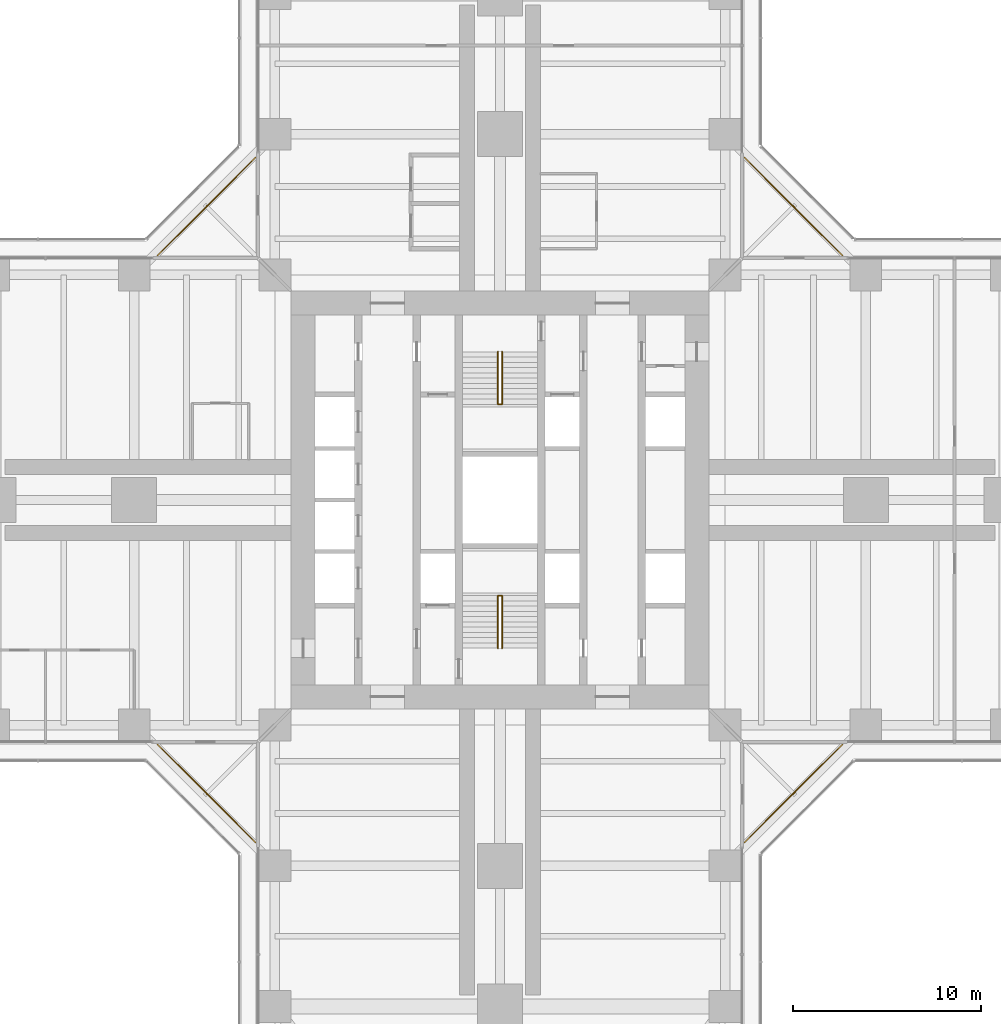
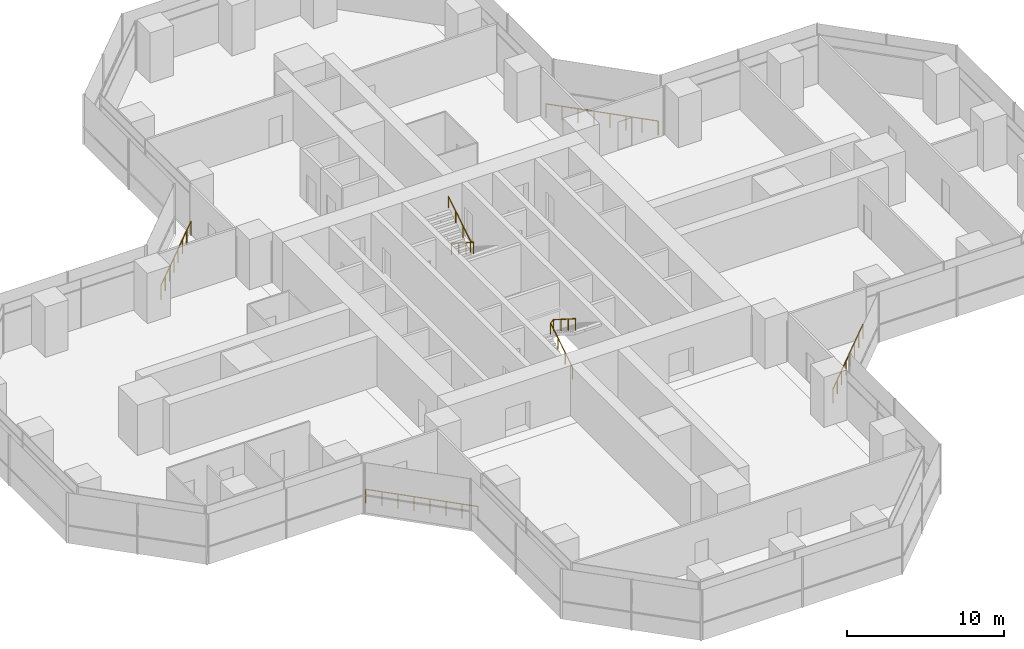
# One storey, part 22 of 22: 6 railings.
"""IFC4 building model written with IfcOpenShell, lengths in metres."""

from ifc_helpers import new_model, si_unit, direction, frame, origin, origin_2d, place, context, subcontext, project, spatial, circle, extrude, material, type_object, element, save


model = new_model("IFC4")

# Units and contexts
model_context = context("Model", 3, precision=1e-05, world=origin(), true_north=direction((0.0, 1.0)))
body_context = subcontext(model_context, "Body", "Model", "MODEL_VIEW")
ifc_project = project(units=[si_unit("LENGTHUNIT", "METRE"), si_unit("AREAUNIT", "SQUARE_METRE"), si_unit("VOLUMEUNIT", "CUBIC_METRE"), si_unit("PLANEANGLEUNIT", "RADIAN"), si_unit("MASSUNIT", "GRAM", prefix="KILO")], contexts=[model_context])

# Site, building, storey
site_placement = place(None, origin())
site = spatial("IfcSite", under=ifc_project, at=site_placement, CompositionType="ELEMENT")
building_placement = place(site_placement, origin())
building = spatial("IfcBuilding", under=site, at=building_placement, Name="Mizan Broadcast Tower", CompositionType="ELEMENT")
storey_placement = place(building_placement, frame((0.0, 0.0, 74.699951171875)))
storey = spatial("IfcBuildingStorey", under=building, at=storey_placement, Name="L15", CompositionType="ELEMENT", Elevation=74.699951171875)

# Railings
ifc_material_1 = material(Name="Stainless steel and glass guard", Category="steel")
railing_type_1 = type_object("IfcRailingType", Name="GUARD 1100", PredefinedType="GUARDRAIL", material=ifc_material_1)
railing_1_placement = place(storey_placement, frame((18.2578125, 13.030029296875, 0.0)))
element("IfcRailing", 1, at=railing_1_placement, inside=storey, type_object=railing_type_1, Name="Winter garden guard L15 E", PredefinedType="GUARDRAIL", context=body_context, shape_type="SweptSolid", body=[
    extrude(circle(Radius=0.02392578125, at=origin_2d()), frame((0.0, 0.0, 1.076171875), z_axis=(-0.707106781187, 0.707106781187, 0.0), x_axis=(-0.707106781187, -0.707106781187, 0.0)), (0.0, 0.0, 1.0), 7.393310546875),
    extrude(circle(Radius=0.02099609375, at=origin_2d()), origin(), (0.0, 0.0, 1.0), 1.052001953125),
    extrude(circle(Radius=0.02099609375, at=origin_2d()), frame((-0.746826171875, 0.746826171875, 0.0)), (0.0, 0.0, 1.0), 1.052001953125),
    extrude(circle(Radius=0.02099609375, at=origin_2d()), frame((-1.49365234375, 1.49365234375, 0.0)), (0.0, 0.0, 1.0), 1.052001953125),
    extrude(circle(Radius=0.02099609375, at=origin_2d()), frame((-2.240478515625, 2.240478515625, 0.0)), (0.0, 0.0, 1.0), 1.052001953125),
    extrude(circle(Radius=0.02099609375, at=origin_2d()), frame((-2.9873046875, 2.9873046875, 0.0)), (0.0, 0.0, 1.0), 1.052001953125),
    extrude(circle(Radius=0.02099609375, at=origin_2d()), frame((-3.734130859375, 3.734130859375, 0.0)), (0.0, 0.0, 1.0), 1.052001953125),
    extrude(circle(Radius=0.02099609375, at=origin_2d()), frame((-4.48095703125, 4.48095703125, 0.0)), (0.0, 0.0, 1.0), 1.052001953125),
    extrude(circle(Radius=0.02099609375, at=origin_2d()), frame((-5.227783203125, 5.227783203125, 0.0)), (0.0, 0.0, 1.0), 1.052001953125),
])
railing_2_placement = place(storey_placement, frame((-13.030029296875, 18.2578125, 0.0)))
element("IfcRailing", 2, at=railing_2_placement, inside=storey, type_object=railing_type_1, Name="Winter garden guard L15 N", PredefinedType="GUARDRAIL", context=body_context, shape_type="SweptSolid", body=[
    extrude(circle(Radius=0.02392578125, at=origin_2d()), frame((0.0, 0.0, 1.076171875), z_axis=(-0.707106781187, -0.707106781187, 0.0), x_axis=(0.707106781187, -0.707106781187, 0.0)), (0.0, 0.0, 1.0), 7.393310546875),
    extrude(circle(Radius=0.02099609375, at=origin_2d()), origin(), (0.0, 0.0, 1.0), 1.052001953125),
    extrude(circle(Radius=0.02099609375, at=origin_2d()), frame((-0.746826171875, -0.746826171875, 0.0)), (0.0, 0.0, 1.0), 1.052001953125),
    extrude(circle(Radius=0.02099609375, at=origin_2d()), frame((-1.49365234375, -1.49365234375, 0.0)), (0.0, 0.0, 1.0), 1.052001953125),
    extrude(circle(Radius=0.02099609375, at=origin_2d()), frame((-2.240478515625, -2.240478515625, 0.0)), (0.0, 0.0, 1.0), 1.052001953125),
    extrude(circle(Radius=0.02099609375, at=origin_2d()), frame((-2.9873046875, -2.9873046875, 0.0)), (0.0, 0.0, 1.0), 1.052001953125),
    extrude(circle(Radius=0.02099609375, at=origin_2d()), frame((-3.734130859375, -3.734130859375, 0.0)), (0.0, 0.0, 1.0), 1.052001953125),
    extrude(circle(Radius=0.02099609375, at=origin_2d()), frame((-4.48095703125, -4.48095703125, 0.0)), (0.0, 0.0, 1.0), 1.052001953125),
    extrude(circle(Radius=0.02099609375, at=origin_2d()), frame((-5.227783203125, -5.227783203125, 0.0)), (0.0, 0.0, 1.0), 1.052001953125),
])
railing_3_placement = place(storey_placement, frame((-18.2578125, -13.030029296875, 0.0)))
element("IfcRailing", 3, at=railing_3_placement, inside=storey, type_object=railing_type_1, Name="Winter garden guard L15 W", PredefinedType="GUARDRAIL", context=body_context, shape_type="SweptSolid", body=[
    extrude(circle(Radius=0.02392578125, at=origin_2d()), frame((0.0, 0.0, 1.076171875), z_axis=(0.707106781187, -0.707106781187, 0.0), x_axis=(0.707106781187, 0.707106781187, 0.0)), (0.0, 0.0, 1.0), 7.393310546875),
    extrude(circle(Radius=0.02099609375, at=origin_2d()), origin(), (0.0, 0.0, 1.0), 1.052001953125),
    extrude(circle(Radius=0.02099609375, at=origin_2d()), frame((0.746826171875, -0.746826171875, 0.0)), (0.0, 0.0, 1.0), 1.052001953125),
    extrude(circle(Radius=0.02099609375, at=origin_2d()), frame((1.49365234375, -1.49365234375, 0.0)), (0.0, 0.0, 1.0), 1.052001953125),
    extrude(circle(Radius=0.02099609375, at=origin_2d()), frame((2.240478515625, -2.240478515625, 0.0)), (0.0, 0.0, 1.0), 1.052001953125),
    extrude(circle(Radius=0.02099609375, at=origin_2d()), frame((2.9873046875, -2.9873046875, 0.0)), (0.0, 0.0, 1.0), 1.052001953125),
    extrude(circle(Radius=0.02099609375, at=origin_2d()), frame((3.734130859375, -3.734130859375, 0.0)), (0.0, 0.0, 1.0), 1.052001953125),
    extrude(circle(Radius=0.02099609375, at=origin_2d()), frame((4.48095703125, -4.48095703125, 0.0)), (0.0, 0.0, 1.0), 1.052001953125),
    extrude(circle(Radius=0.02099609375, at=origin_2d()), frame((5.227783203125, -5.227783203125, 0.0)), (0.0, 0.0, 1.0), 1.052001953125),
])
railing_4_placement = place(storey_placement, frame((13.030029296875, -18.2578125, 0.0)))
element("IfcRailing", 4, at=railing_4_placement, inside=storey, type_object=railing_type_1, Name="Winter garden guard L15 S", PredefinedType="GUARDRAIL", context=body_context, shape_type="SweptSolid", body=[
    extrude(circle(Radius=0.02392578125, at=origin_2d()), frame((0.0, 0.0, 1.076171875), z_axis=(0.707106781187, 0.707106781187, 0.0), x_axis=(-0.707106781187, 0.707106781187, 0.0)), (0.0, 0.0, 1.0), 7.393310546875),
    extrude(circle(Radius=0.02099609375, at=origin_2d()), origin(), (0.0, 0.0, 1.0), 1.052001953125),
    extrude(circle(Radius=0.02099609375, at=origin_2d()), frame((0.746826171875, 0.746826171875, 0.0)), (0.0, 0.0, 1.0), 1.052001953125),
    extrude(circle(Radius=0.02099609375, at=origin_2d()), frame((1.49365234375, 1.49365234375, 0.0)), (0.0, 0.0, 1.0), 1.052001953125),
    extrude(circle(Radius=0.02099609375, at=origin_2d()), frame((2.240478515625, 2.240478515625, 0.0)), (0.0, 0.0, 1.0), 1.052001953125),
    extrude(circle(Radius=0.02099609375, at=origin_2d()), frame((2.9873046875, 2.9873046875, 0.0)), (0.0, 0.0, 1.0), 1.052001953125),
    extrude(circle(Radius=0.02099609375, at=origin_2d()), frame((3.734130859375, 3.734130859375, 0.0)), (0.0, 0.0, 1.0), 1.052001953125),
    extrude(circle(Radius=0.02099609375, at=origin_2d()), frame((4.48095703125, 4.48095703125, 0.0)), (0.0, 0.0, 1.0), 1.052001953125),
    extrude(circle(Radius=0.02099609375, at=origin_2d()), frame((5.227783203125, 5.227783203125, 0.0)), (0.0, 0.0, 1.0), 1.052001953125),
])
ifc_material_2 = material(Name="Stainless steel", Category="steel")
railing_type_2 = type_object("IfcRailingType", Name="HANDRAIL 50", PredefinedType="HANDRAIL", material=ifc_material_2)
railing_5_placement = place(storey_placement, frame((-0.110107421875, -7.89990234375, 0.17724609375)))
element("IfcRailing", 5, at=railing_5_placement, inside=storey, type_object=railing_type_2, Name="Stair A handrail", PredefinedType="HANDRAIL", context=body_context, shape_type="SweptSolid", body=[
    extrude(circle(Radius=0.02392578125, at=origin_2d()), frame((0.0, 0.0, 0.8759765625), z_axis=(0.0, 0.844887892834, 0.53494340686), x_axis=(-1.0, 0.0, 0.0)), (0.0, 0.0, 1.0), 3.313720703125),
    extrude(circle(Radius=0.02392578125, at=origin_2d()), frame((0.0, 2.7998046875, 2.6484375), z_axis=(0.77858989007, 0.0, 0.627533093216), x_axis=(0.0, 1.0, 0.0)), (0.0, 0.0, 1.0), 0.282958984375),
    extrude(circle(Radius=0.02392578125, at=origin_2d()), frame((0.22021484375, 2.7998046875, 2.826171875), z_axis=(0.0, -0.844887892834, 0.53494340686), x_axis=(1.0, 0.0, 0.0)), (0.0, 0.0, 1.0), 3.313720703125),
    extrude(circle(Radius=0.02099609375, at=origin_2d()), origin(), (0.0, 0.0, 1.0), 0.851806640625),
    extrude(circle(Radius=0.02099609375, at=origin_2d()), frame((0.0, 0.933349609375, 0.5908203125)), (0.0, 0.0, 1.0), 0.851806640625),
    extrude(circle(Radius=0.02099609375, at=origin_2d()), frame((0.0, 1.866455078125, 1.181884765625)), (0.0, 0.0, 1.0), 0.851806640625),
    extrude(circle(Radius=0.02099609375, at=origin_2d()), frame((0.0, 2.7998046875, 1.772705078125)), (0.0, 0.0, 1.0), 0.851806640625),
    extrude(circle(Radius=0.02099609375, at=origin_2d()), frame((0.22021484375, 2.7998046875, 1.9501953125)), (0.0, 0.0, 1.0), 0.851806640625),
    extrude(circle(Radius=0.02099609375, at=origin_2d()), frame((0.22021484375, 1.866455078125, 2.541015625)), (0.0, 0.0, 1.0), 0.851806640625),
    extrude(circle(Radius=0.02099609375, at=origin_2d()), frame((0.22021484375, 0.933349609375, 3.132080078125)), (0.0, 0.0, 1.0), 0.851806640625),
    extrude(circle(Radius=0.02099609375, at=origin_2d()), frame((0.22021484375, 0.0, 3.722900390625)), (0.0, 0.0, 1.0), 0.851806640625),
])
railing_6_placement = place(storey_placement, frame((0.110107421875, 7.89990234375, 0.17724609375)))
element("IfcRailing", 6, at=railing_6_placement, inside=storey, type_object=railing_type_2, Name="Stair B handrail", PredefinedType="HANDRAIL", context=body_context, shape_type="SweptSolid", body=[
    extrude(circle(Radius=0.02392578125, at=origin_2d()), frame((0.0, 0.0, 0.8759765625), z_axis=(0.0, -0.844887892834, 0.53494340686), x_axis=(1.0, 0.0, 0.0)), (0.0, 0.0, 1.0), 3.313720703125),
    extrude(circle(Radius=0.02392578125, at=origin_2d()), frame((0.0, -2.7998046875, 2.6484375), z_axis=(-0.77858989007, 0.0, 0.627533093216), x_axis=(0.0, -1.0, 0.0)), (0.0, 0.0, 1.0), 0.282958984375),
    extrude(circle(Radius=0.02392578125, at=origin_2d()), frame((-0.22021484375, -2.7998046875, 2.826171875), z_axis=(0.0, 0.844887892834, 0.53494340686), x_axis=(-1.0, 0.0, 0.0)), (0.0, 0.0, 1.0), 3.313720703125),
    extrude(circle(Radius=0.02099609375, at=origin_2d()), origin(), (0.0, 0.0, 1.0), 0.851806640625),
    extrude(circle(Radius=0.02099609375, at=origin_2d()), frame((0.0, -0.933349609375, 0.5908203125)), (0.0, 0.0, 1.0), 0.851806640625),
    extrude(circle(Radius=0.02099609375, at=origin_2d()), frame((0.0, -1.866455078125, 1.181884765625)), (0.0, 0.0, 1.0), 0.851806640625),
    extrude(circle(Radius=0.02099609375, at=origin_2d()), frame((0.0, -2.7998046875, 1.772705078125)), (0.0, 0.0, 1.0), 0.851806640625),
    extrude(circle(Radius=0.02099609375, at=origin_2d()), frame((-0.22021484375, -2.7998046875, 1.9501953125)), (0.0, 0.0, 1.0), 0.851806640625),
    extrude(circle(Radius=0.02099609375, at=origin_2d()), frame((-0.22021484375, -1.866455078125, 2.541015625)), (0.0, 0.0, 1.0), 0.851806640625),
    extrude(circle(Radius=0.02099609375, at=origin_2d()), frame((-0.22021484375, -0.933349609375, 3.132080078125)), (0.0, 0.0, 1.0), 0.851806640625),
    extrude(circle(Radius=0.02099609375, at=origin_2d()), frame((-0.22021484375, 0.0, 3.722900390625)), (0.0, 0.0, 1.0), 0.851806640625),
])

save(model, "model.ifc")
